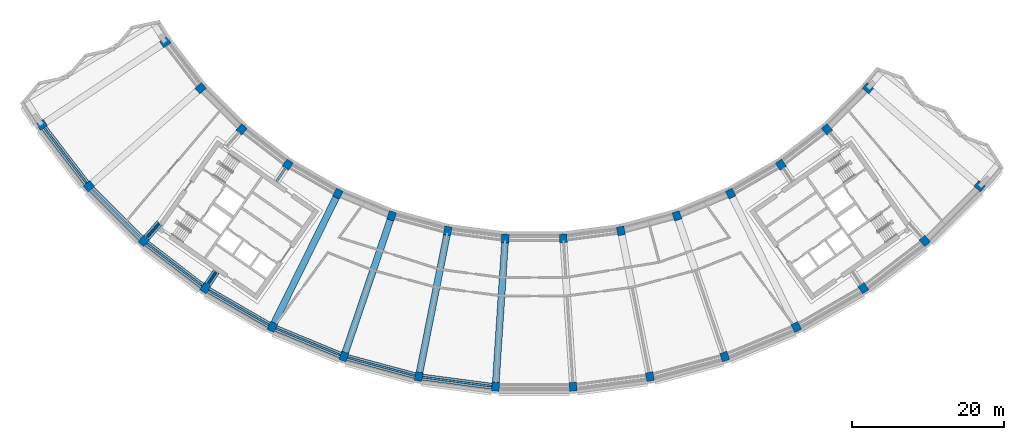
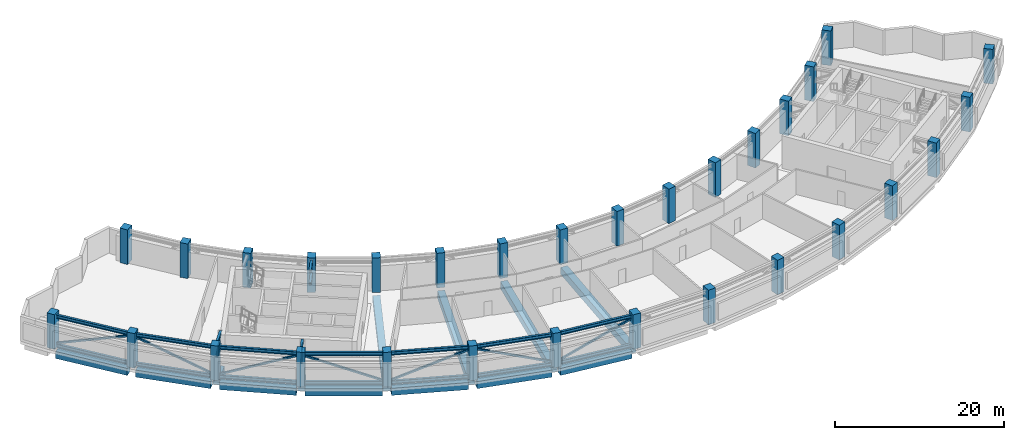
# One storey, part 1 of 24: 30 columns, 29 members, 13 beams.
"""IFC4 building model written with IfcOpenShell, lengths in metres."""

from ifc_helpers import new_model, si_unit, direction, frame, origin, origin_2d, place, context, subcontext, project, spatial, rectangle, hollow_rectangle, hollow_circle, i_section, extrude, material, material_profile, profile_set, type_object, element, save


model = new_model("IFC4")

# Units and contexts
model_context = context("Model", 3, precision=1e-05, world=origin(), true_north=direction((0.0, 1.0)))
body_context = subcontext(model_context, "Body", "Model", "MODEL_VIEW")
ifc_project = project(units=[si_unit("LENGTHUNIT", "METRE"), si_unit("AREAUNIT", "SQUARE_METRE"), si_unit("VOLUMEUNIT", "CUBIC_METRE"), si_unit("PLANEANGLEUNIT", "RADIAN"), si_unit("MASSUNIT", "GRAM", prefix="KILO")], contexts=[model_context])

# Site, building, storey
site_placement = place(None, origin())
site = spatial("IfcSite", under=ifc_project, at=site_placement, CompositionType="ELEMENT")
building_placement = place(site_placement, origin())
building = spatial("IfcBuilding", under=site, at=building_placement, Name="Qamariyya Broadcast Tower", CompositionType="ELEMENT")
storey_placement = place(building_placement, frame((0.0, 0.0, 253.10009765625)))
storey = spatial("IfcBuildingStorey", under=building, at=storey_placement, Name="L61", CompositionType="ELEMENT", Elevation=253.10009765625)

# Columns
ifc_material_1 = material(Name="Concrete C60/75", Category="concrete")
ifc_material_profile_1 = material_profile(ifc_material_1, rectangle(XDim=1.0, YDim=1.14990234375, at=origin_2d()))
ifc_profile_set_1 = profile_set([ifc_material_profile_1], Name="Concrete C60/75")
column_type = type_object("IfcColumnType", Name="RC column 1000 x 1150 C60/75", PredefinedType="COLUMN", material=ifc_profile_set_1)
for number, where, z_axis, x_axis, name in (
    (1, (-48.43310546875, -32.362060546875, 0.0), (0.0, 0.0, 1.0), (0.55557023302, -0.831469612303, 0.0), "Column C11 L61 B-R03"),
    (2, (-64.646728515625, -43.195556640625, 0.0), (0.0, 0.0, 1.0), (0.55557023302, -0.831469612303, 0.0), "Column C11 L61 C-R03"),
    (3, (-43.794677734375, -38.406982421875, 0.0), (0.0, 0.0, 1.0), (0.6593458151, -0.751839807479, 0.0), "Column C11 L61 B-R04"),
    (4, (-58.45556640625, -51.26416015625, 0.0), (0.0, 0.0, 1.0), (0.6593458151, -0.751839807479, 0.0), "Column C11 L61 C-R04"),
    (5, (-38.406982421875, -43.794677734375, 0.0), (0.0, 0.0, 1.0), (0.751839807479, -0.6593458151, 0.0), "Column C11 L61 B-R05"),
    (6, (-51.26416015625, -58.45556640625, 0.0), (0.0, 0.0, 1.0), (0.751839807479, -0.6593458151, 0.0), "Column C11 L61 C-R05"),
    (7, (-32.362060546875, -48.43310546875, 0.0), (0.0, 0.0, 1.0), (0.831469612303, -0.55557023302, 0.0), "Column C11 L61 B-R06"),
    (8, (-43.195556640625, -64.646728515625, 0.0), (0.0, 0.0, 1.0), (0.831469612303, -0.55557023302, 0.0), "Column C11 L61 C-R06"),
    (9, (-25.763427734375, -52.242919921875, 0.0), (0.0, 0.0, 1.0), (0.896872741533, -0.442288690219, 0.0), "Column C11 L61 B-R07"),
    (10, (-34.387939453125, -69.73193359375, 0.0), (0.0, 0.0, 1.0), (0.896872741533, -0.442288690219, 0.0), "Column C11 L61 C-R07"),
    (11, (-18.723876953125, -55.15869140625, 0.0), (0.0, 0.0, 1.0), (0.946930129495, -0.321439465303, 0.0), "Column C11 L61 B-R08"),
    (12, (-24.991943359375, -73.623779296875, 0.0), (0.0, 0.0, 1.0), (0.946930129495, -0.321439465303, 0.0), "Column C11 L61 C-R08"),
    (13, (-11.364013671875, -57.130859375, 0.0), (0.0, 0.0, 1.0), (0.980785280403, -0.195090322016, 0.0), "Column C11 L61 B-R09"),
    (14, (-15.168212890625, -76.256103515625, 0.0), (0.0, 0.0, 1.0), (0.980785280403, -0.195090322016, 0.0), "Column C11 L61 C-R09"),
    (15, (-3.809814453125, -58.125244140625, 0.0), (0.0, 0.0, 1.0), (0.997858923239, -0.06540312923, 0.0), "Column C11 L61 B-R10"),
    (16, (-5.085205078125, -77.58349609375, 0.0), (0.0, 0.0, 1.0), (0.997858923239, -0.06540312923, 0.0), "Column C11 L61 C-R10"),
    (17, (3.809814453125, -58.125244140625, 0.0), (0.0, 0.0, 1.0), (0.997858923239, 0.06540312923, 0.0), "Column C11 L61 B-R11"),
    (18, (5.085205078125, -77.58349609375, 0.0), (0.0, 0.0, 1.0), (0.997858923239, 0.06540312923, 0.0), "Column C11 L61 C-R11"),
    (19, (11.364013671875, -57.130859375, 0.0), (0.0, 0.0, 1.0), (0.980785280403, 0.195090322016, 0.0), "Column C11 L61 B-R12"),
    (20, (15.168212890625, -76.256103515625, 0.0), (0.0, 0.0, 1.0), (0.980785280403, 0.195090322016, 0.0), "Column C11 L61 C-R12"),
    (21, (18.723876953125, -55.15869140625, 0.0), (0.0, 0.0, 1.0), (0.946930129495, 0.321439465303, 0.0), "Column C11 L61 B-R13"),
    (22, (24.991943359375, -73.623779296875, 0.0), (0.0, 0.0, 1.0), (0.946930129495, 0.321439465303, 0.0), "Column C11 L61 C-R13"),
    (23, (25.763427734375, -52.242919921875, 0.0), (0.0, 0.0, 1.0), (0.896872741533, 0.442288690219, 0.0), "Column C11 L61 B-R14"),
    (24, (34.387939453125, -69.73193359375, 0.0), (0.0, 0.0, 1.0), (0.896872741533, 0.442288690219, 0.0), "Column C11 L61 C-R14"),
    (25, (32.362060546875, -48.43310546875, 0.0), (0.0, 0.0, 1.0), (0.831469612303, 0.55557023302, 0.0), "Column C11 L61 B-R15"),
    (26, (43.195556640625, -64.646728515625, 0.0), (0.0, 0.0, 1.0), (0.831469612303, 0.55557023302, 0.0), "Column C11 L61 C-R15"),
    (27, (38.406982421875, -43.794677734375, 0.0), (0.0, 0.0, 1.0), (0.751839807479, 0.6593458151, 0.0), "Column C11 L61 B-R16"),
    (28, (51.26416015625, -58.45556640625, 0.0), (0.0, 0.0, 1.0), (0.751839807479, 0.6593458151, 0.0), "Column C11 L61 C-R16"),
    (29, (43.794677734375, -38.406982421875, 0.0), (0.0, 0.0, 1.0), (0.6593458151, 0.751839807479, 0.0), "Column C11 L61 B-R17"),
    (30, (58.45556640625, -51.26416015625, 0.0), (0.0, 0.0, 1.0), (0.6593458151, 0.751839807479, 0.0), "Column C11 L61 C-R17"),
):
    element("IfcColumn", number, at=place(storey_placement, frame(where, z_axis=z_axis, x_axis=x_axis)), inside=storey, type_object=column_type, Name=name, PredefinedType="COLUMN", context=body_context, shape_type="SweptSolid", body=[
        extrude(rectangle(XDim=1.0, YDim=1.14990234375, at=origin_2d()), origin(), (0.0, 0.0, 1.0), 5.0),
    ])

# Members
ifc_material_2 = material(Name="Steel S355", Category="steel")
ifc_material_profile_2 = material_profile(ifc_material_2, i_section(OverallWidth=0.300048828125, OverallDepth=0.5, WebThickness=0.014404296875, FlangeThickness=0.028076171875, FilletRadius=0.027099609375, at=origin_2d()))
ifc_profile_set_2 = profile_set([ifc_material_profile_2], Name="Steel S355")
member_type_1 = type_object("IfcMemberType", Name="Belt truss bottom chord HEB 500", PredefinedType="CHORD", material=ifc_profile_set_2)
for number, where, z_axis, x_axis, name in (
    (31, (-64.341796875, -43.593017578125, 0.25), (0.608761882331, -0.793352992445, 0.0), (0.793352992445, 0.608761882331, 0.0), "Belt truss bottom chord T28 L61 C-R03"),
    (32, (-58.101318359375, -51.618408203125, 0.25), (0.707106781187, -0.707106781187, 0.0), (0.707106781187, 0.707106781187, 0.0), "Belt truss bottom chord T28 L61 C-R04"),
    (33, (-50.86669921875, -58.760498046875, 0.25), (0.793352992445, -0.608761882331, 0.0), (0.608761882331, 0.793352992445, 0.0), "Belt truss bottom chord T28 L61 C-R05"),
    (34, (-42.76171875, -64.897216796875, 0.25), (0.866032154434, -0.49998830735, 0.0), (0.49998830735, 0.866032154434, 0.0), "Belt truss bottom chord T28 L61 C-R06"),
    (35, (-33.925048828125, -69.923583984375, 0.25), (0.923876946533, -0.382689675409, 0.0), (0.382689675409, 0.923876946533, 0.0), "Belt truss bottom chord T28 L61 C-R07"),
):
    element("IfcMember", number, at=place(storey_placement, frame(where, z_axis=z_axis, x_axis=x_axis)), inside=storey, type_object=member_type_1, Name=name, PredefinedType="CHORD", context=body_context, shape_type="SweptSolid", body=[
        extrude(i_section(OverallWidth=0.300048828125, OverallDepth=0.5, WebThickness=0.014404296875, FlangeThickness=0.028076171875, FilletRadius=0.027099609375, at=origin_2d()), origin(), (0.0, 0.0, 1.0), 9.168212890625),
    ])
for number, where, z_axis, x_axis, name in (
    (36, (-24.5078125, -73.75341796875, 0.25), (0.965919522093, -0.258842571536, 0.0), (0.258842571536, 0.965919522093, 0.0), "Belt truss bottom chord T28 L61 C-R08"),
    (37, (-14.67138671875, -76.321533203125, 0.25), (0.991446770895, -0.130511687147, 0.0), (0.130511687147, 0.991446770895, 0.0), "Belt truss bottom chord T28 L61 C-R09"),
):
    element("IfcMember", number, at=place(storey_placement, frame(where, z_axis=z_axis, x_axis=x_axis)), inside=storey, type_object=member_type_1, Name=name, PredefinedType="CHORD", context=body_context, shape_type="SweptSolid", body=[
        extrude(i_section(OverallWidth=0.300048828125, OverallDepth=0.5, WebThickness=0.014404296875, FlangeThickness=0.028076171875, FilletRadius=0.027099609375, at=origin_2d()), origin(), (0.0, 0.0, 1.0), 9.16796875),
    ])
ifc_material_profile_3 = material_profile(ifc_material_2, hollow_rectangle(XDim=0.25, YDim=0.25, WallThickness=0.010009765625, InnerFilletRadius=0.010009765625, OuterFilletRadius=0.02001953125, at=origin_2d()))
ifc_profile_set_3 = profile_set([ifc_material_profile_3], Name="Steel S355")
member_type_2 = type_object("IfcMemberType", Name="Belt truss diagonal RHS 250x250x10", PredefinedType="BRACE", material=ifc_profile_set_3)
member_1_placement = place(storey_placement, frame((-64.3134765625, -43.630126953125, 0.61669921875), z_axis=(0.568686496297, -0.741117027103, 0.356849017187), x_axis=(0.793349514389, 0.608766414989, 0.0)))
element("IfcMember", 38, at=member_1_placement, inside=storey, type_object=member_type_2, Name="Belt truss diagonal T29 L61 C-R03", PredefinedType="BRACE", context=body_context, shape_type="SweptSolid", body=[
    extrude(hollow_rectangle(XDim=0.25, YDim=0.25, WallThickness=0.010009765625, InnerFilletRadius=0.010009765625, OuterFilletRadius=0.02001953125, at=origin_2d()), origin(), (0.0, 0.0, 1.0), 9.71435546875),
])
member_2_placement = place(storey_placement, frame((-58.068359375, -51.6513671875, 4.083251953125), z_axis=(0.660554461539, -0.660554461539, -0.356841150487), x_axis=(0.707106781187, 0.707106781187, 0.0)))
element("IfcMember", 39, at=member_2_placement, inside=storey, type_object=member_type_2, Name="Belt truss diagonal T29 L61 C-R04", PredefinedType="BRACE", context=body_context, shape_type="SweptSolid", body=[
    extrude(hollow_rectangle(XDim=0.25, YDim=0.25, WallThickness=0.010009765625, InnerFilletRadius=0.010009765625, OuterFilletRadius=0.02001953125, at=origin_2d()), origin(), (0.0, 0.0, 1.0), 9.714599609375),
])
for number, where, z_axis, x_axis, name in (
    (40, (-50.82958984375, -58.7890625, 0.61669921875), (0.741117027103, -0.568686496297, 0.356849017187), (0.608766414989, 0.793349514389, 0.0), "Belt truss diagonal T29 L61 C-R05"),
    (41, (-42.72119140625, -64.920654296875, 4.083251953125), (0.809005966648, -0.467082196028, -0.356852305698), (0.500001913541, 0.866024298998, 0.0), "Belt truss diagonal T29 L61 C-R06"),
    (42, (-33.8818359375, -69.94140625, 0.61669921875), (0.863049937059, -0.357499355134, 0.356845929248), (0.382694731444, 0.923874852199, 0.0), "Belt truss diagonal T29 L61 C-R07"),
    (43, (-24.462890625, -73.765625, 4.083251953125), (0.902334672659, -0.241768592663, -0.356847426947), (0.258807804761, 0.965928838059, 0.0), "Belt truss diagonal T29 L61 C-R08"),
    (44, (-14.625244140625, -76.32763671875, 0.61669921875), (0.926171242383, -0.12191622427, 0.356851879697), (0.130508795509, 0.991447151539, 0.0), "Belt truss diagonal T29 L61 C-R09"),
):
    element("IfcMember", number, at=place(storey_placement, frame(where, z_axis=z_axis, x_axis=x_axis)), inside=storey, type_object=member_type_2, Name=name, PredefinedType="BRACE", context=body_context, shape_type="SweptSolid", body=[
        extrude(hollow_rectangle(XDim=0.25, YDim=0.25, WallThickness=0.010009765625, InnerFilletRadius=0.010009765625, OuterFilletRadius=0.02001953125, at=origin_2d()), origin(), (0.0, 0.0, 1.0), 9.71435546875),
    ])
ifc_material_profile_4 = material_profile(ifc_material_2, i_section(OverallWidth=0.300048828125, OverallDepth=0.5, WebThickness=0.014404296875, FlangeThickness=0.028076171875, FilletRadius=0.027099609375, at=origin_2d()))
ifc_profile_set_4 = profile_set([ifc_material_profile_4], Name="Steel S355")
member_type_3 = type_object("IfcMemberType", Name="Belt truss top chord HEB 500", PredefinedType="CHORD", material=ifc_profile_set_4)
for number, where, z_axis, x_axis, name in (
    (45, (-64.341796875, -43.593017578125, 4.449951171875), (0.608761882331, -0.793352992445, 0.0), (0.793352992445, 0.608761882331, 0.0), "Belt truss top chord T27 L61 C-R03"),
    (46, (-58.101318359375, -51.618408203125, 4.449951171875), (0.707106781187, -0.707106781187, 0.0), (0.707106781187, 0.707106781187, 0.0), "Belt truss top chord T27 L61 C-R04"),
    (47, (-50.86669921875, -58.760498046875, 4.449951171875), (0.793352992445, -0.608761882331, 0.0), (0.608761882331, 0.793352992445, 0.0), "Belt truss top chord T27 L61 C-R05"),
    (48, (-42.76171875, -64.897216796875, 4.449951171875), (0.866032154434, -0.49998830735, 0.0), (0.49998830735, 0.866032154434, 0.0), "Belt truss top chord T27 L61 C-R06"),
    (49, (-33.925048828125, -69.923583984375, 4.449951171875), (0.923876946533, -0.382689675409, 0.0), (0.382689675409, 0.923876946533, 0.0), "Belt truss top chord T27 L61 C-R07"),
):
    element("IfcMember", number, at=place(storey_placement, frame(where, z_axis=z_axis, x_axis=x_axis)), inside=storey, type_object=member_type_3, Name=name, PredefinedType="CHORD", context=body_context, shape_type="SweptSolid", body=[
        extrude(i_section(OverallWidth=0.300048828125, OverallDepth=0.5, WebThickness=0.014404296875, FlangeThickness=0.028076171875, FilletRadius=0.027099609375, at=origin_2d()), origin(), (0.0, 0.0, 1.0), 9.168212890625),
    ])
for number, where, z_axis, x_axis, name in (
    (50, (-24.5078125, -73.75341796875, 4.449951171875), (0.965919522093, -0.258842571536, 0.0), (0.258842571536, 0.965919522093, 0.0), "Belt truss top chord T27 L61 C-R08"),
    (51, (-14.67138671875, -76.321533203125, 4.449951171875), (0.991446770895, -0.130511687147, 0.0), (0.130511687147, 0.991446770895, 0.0), "Belt truss top chord T27 L61 C-R09"),
):
    element("IfcMember", number, at=place(storey_placement, frame(where, z_axis=z_axis, x_axis=x_axis)), inside=storey, type_object=member_type_3, Name=name, PredefinedType="CHORD", context=body_context, shape_type="SweptSolid", body=[
        extrude(i_section(OverallWidth=0.300048828125, OverallDepth=0.5, WebThickness=0.014404296875, FlangeThickness=0.028076171875, FilletRadius=0.027099609375, at=origin_2d()), origin(), (0.0, 0.0, 1.0), 9.16796875),
    ])
ifc_material_profile_5 = material_profile(ifc_material_2, i_section(OverallWidth=0.300048828125, OverallDepth=0.389892578125, WebThickness=0.010986328125, FlangeThickness=0.01904296875, FilletRadius=0.027099609375, at=origin_2d()))
ifc_profile_set_5 = profile_set([ifc_material_profile_5], Name="Steel S355")
member_type_4 = type_object("IfcMemberType", Name="Outrigger truss bottom chord HEA 400", PredefinedType="CHORD", material=ifc_profile_set_5)
member_3_placement = place(storey_placement, frame((-49.22412109375, -56.12939453125, 2.69482421875), z_axis=(-0.65933417083, -0.75185001907, 0.0), x_axis=(0.75185001907, -0.65933417083, 0.0)))
element("IfcMember", 52, at=member_3_placement, inside=storey, type_object=member_type_4, Name="Outrigger truss bottom chord T25 L61 R05", PredefinedType="CHORD", context=body_context, shape_type="SweptSolid", body=[
    extrude(i_section(OverallWidth=0.300048828125, OverallDepth=0.389892578125, WebThickness=0.010986328125, FlangeThickness=0.01904296875, FilletRadius=0.027099609375, at=origin_2d()), origin(), (0.0, 0.0, 1.0), 2.4990234375),
])
member_4_placement = place(storey_placement, frame((-32.692626953125, -48.927734375, 2.69482421875), z_axis=(-0.555562587302, -0.831474720957, 0.0), x_axis=(0.831474720957, -0.555562587302, 0.0)))
element("IfcMember", 53, at=member_4_placement, inside=storey, type_object=member_type_4, Name="Outrigger truss bottom chord T25 L61 R06", PredefinedType="CHORD", context=body_context, shape_type="SweptSolid", body=[
    extrude(i_section(OverallWidth=0.300048828125, OverallDepth=0.389892578125, WebThickness=0.010986328125, FlangeThickness=0.01904296875, FilletRadius=0.027099609375, at=origin_2d()), origin(), (0.0, 0.0, 1.0), 2.0244140625),
])
member_5_placement = place(storey_placement, frame((-41.75830078125, -62.49560546875, 2.69482421875), z_axis=(-0.555520070423, -0.83150312769, 0.0), x_axis=(0.83150312769, -0.555520070423, 0.0)))
element("IfcMember", 54, at=member_5_placement, inside=storey, type_object=member_type_4, Name="Outrigger truss bottom chord T25 L61 R06", PredefinedType="CHORD", context=body_context, shape_type="SweptSolid", body=[
    extrude(i_section(OverallWidth=0.300048828125, OverallDepth=0.389892578125, WebThickness=0.010986328125, FlangeThickness=0.01904296875, FilletRadius=0.027099609375, at=origin_2d()), origin(), (0.0, 0.0, 1.0), 1.9921875),
])
ifc_material_profile_6 = material_profile(ifc_material_2, hollow_circle(Radius=0.109619140625, WallThickness=0.010009765625, at=origin_2d()))
ifc_profile_set_6 = profile_set([ifc_material_profile_6], Name="Steel S355")
member_type_5 = type_object("IfcMemberType", Name="Outrigger truss diagonal CHS 219.1x10", PredefinedType="BRACE", material=ifc_profile_set_6)
member_6_placement = place(storey_placement, frame((-49.25830078125, -56.168212890625, 4.21240234375), z_axis=(-0.587028478124, -0.669424808026, -0.455266946166), x_axis=(0.751862813991, -0.659319580278, 0.0)))
element("IfcMember", 55, at=member_6_placement, inside=storey, type_object=member_type_5, Name="Outrigger truss diagonal T30 L61 R05", PredefinedType="BRACE", context=body_context, shape_type="SweptSolid", body=[
    extrude(hollow_circle(Radius=0.109619140625, WallThickness=0.010009765625, at=origin_2d()), origin(), (0.0, 0.0, 1.0), 2.6904296875),
])
member_7_placement = place(storey_placement, frame((-41.79296875, -62.547607421875, 4.218505859375), z_axis=(-0.463120348353, -0.693100093004, -0.552387367722), x_axis=(0.831466468953, -0.555574937346, 0.0)))
element("IfcMember", 56, at=member_7_placement, inside=storey, type_object=member_type_5, Name="Outrigger truss diagonal T30 L61 R06", PredefinedType="BRACE", context=body_context, shape_type="SweptSolid", body=[
    extrude(hollow_circle(Radius=0.109619140625, WallThickness=0.010009765625, at=origin_2d()), origin(), (0.0, 0.0, 1.0), 2.239990234375),
])
ifc_material_profile_7 = material_profile(ifc_material_2, i_section(OverallWidth=0.300048828125, OverallDepth=0.389892578125, WebThickness=0.010986328125, FlangeThickness=0.01904296875, FilletRadius=0.027099609375, at=origin_2d()))
ifc_profile_set_7 = profile_set([ifc_material_profile_7], Name="Steel S355")
member_type_6 = type_object("IfcMemberType", Name="Outrigger truss top chord HEA 400", PredefinedType="CHORD", material=ifc_profile_set_7)
member_8_placement = place(storey_placement, frame((-49.22412109375, -56.12939453125, 4.5048828125), z_axis=(-0.65933417083, -0.75185001907, 0.0), x_axis=(0.75185001907, -0.65933417083, 0.0)))
element("IfcMember", 57, at=member_8_placement, inside=storey, type_object=member_type_6, Name="Outrigger truss top chord T24 L61 R05", PredefinedType="CHORD", context=body_context, shape_type="SweptSolid", body=[
    extrude(i_section(OverallWidth=0.300048828125, OverallDepth=0.389892578125, WebThickness=0.010986328125, FlangeThickness=0.01904296875, FilletRadius=0.027099609375, at=origin_2d()), origin(), (0.0, 0.0, 1.0), 2.4990234375),
])
member_9_placement = place(storey_placement, frame((-32.692626953125, -48.927734375, 4.5048828125), z_axis=(-0.555562587302, -0.831474720957, 0.0), x_axis=(0.831474720957, -0.555562587302, 0.0)))
element("IfcMember", 58, at=member_9_placement, inside=storey, type_object=member_type_6, Name="Outrigger truss top chord T24 L61 R06", PredefinedType="CHORD", context=body_context, shape_type="SweptSolid", body=[
    extrude(i_section(OverallWidth=0.300048828125, OverallDepth=0.389892578125, WebThickness=0.010986328125, FlangeThickness=0.01904296875, FilletRadius=0.027099609375, at=origin_2d()), origin(), (0.0, 0.0, 1.0), 2.0244140625),
])
member_10_placement = place(storey_placement, frame((-41.75830078125, -62.49560546875, 4.5048828125), z_axis=(-0.555520070423, -0.83150312769, 0.0), x_axis=(0.83150312769, -0.555520070423, 0.0)))
element("IfcMember", 59, at=member_10_placement, inside=storey, type_object=member_type_6, Name="Outrigger truss top chord T24 L61 R06", PredefinedType="CHORD", context=body_context, shape_type="SweptSolid", body=[
    extrude(i_section(OverallWidth=0.300048828125, OverallDepth=0.389892578125, WebThickness=0.010986328125, FlangeThickness=0.01904296875, FilletRadius=0.027099609375, at=origin_2d()), origin(), (0.0, 0.0, 1.0), 1.9921875),
])

# Beams
ifc_material_3 = material(Name="Concrete C40/50", Category="concrete")
ifc_material_profile_8 = material_profile(ifc_material_3, rectangle(XDim=0.800048828125, YDim=1.0, at=origin_2d()))
ifc_profile_set_8 = profile_set([ifc_material_profile_8], Name="Concrete C40/50")
beam_type_1 = type_object("IfcBeamType", Name="RC edge beam 800 x 1000 C40/50", PredefinedType="SPANDREL", material=ifc_profile_set_8)
for number, where, z_axis, x_axis, name in (
    (60, (-64.341796875, -43.593017578125, -0.900146484375), (0.608761882331, -0.793352992445, 0.0), (0.793352992445, 0.608761882331, 0.0), "Edge beam B24 L61 C R03-R04"),
    (61, (-58.101318359375, -51.618408203125, -0.900146484375), (0.707106781187, -0.707106781187, 0.0), (0.707106781187, 0.707106781187, 0.0), "Edge beam B24 L61 C R04-R05"),
    (62, (-50.86669921875, -58.760498046875, -0.900146484375), (0.793352992445, -0.608761882331, 0.0), (0.608761882331, 0.793352992445, 0.0), "Edge beam B24 L61 C R05-R06"),
    (63, (-42.76171875, -64.897216796875, -0.900146484375), (0.866032154434, -0.49998830735, 0.0), (0.49998830735, 0.866032154434, 0.0), "Edge beam B24 L61 C R06-R07"),
    (64, (-33.925048828125, -69.923583984375, -0.900146484375), (0.923876946533, -0.382689675409, 0.0), (0.382689675409, 0.923876946533, 0.0), "Edge beam B24 L61 C R07-R08"),
):
    element("IfcBeam", number, at=place(storey_placement, frame(where, z_axis=z_axis, x_axis=x_axis)), inside=storey, type_object=beam_type_1, Name=name, PredefinedType="SPANDREL", context=body_context, shape_type="SweptSolid", body=[
        extrude(rectangle(XDim=0.800048828125, YDim=1.0, at=origin_2d()), origin(), (0.0, 0.0, 1.0), 9.168212890625),
    ])
for number, where, z_axis, x_axis, name in (
    (65, (-24.5078125, -73.75341796875, -0.900146484375), (0.965919522093, -0.258842571536, 0.0), (0.258842571536, 0.965919522093, 0.0), "Edge beam B24 L61 C R08-R09"),
    (66, (-14.67138671875, -76.321533203125, -0.900146484375), (0.991446770895, -0.130511687147, 0.0), (0.130511687147, 0.991446770895, 0.0), "Edge beam B24 L61 C R09-R10"),
):
    element("IfcBeam", number, at=place(storey_placement, frame(where, z_axis=z_axis, x_axis=x_axis)), inside=storey, type_object=beam_type_1, Name=name, PredefinedType="SPANDREL", context=body_context, shape_type="SweptSolid", body=[
        extrude(rectangle(XDim=0.800048828125, YDim=1.0, at=origin_2d()), origin(), (0.0, 0.0, 1.0), 9.16796875),
    ])
ifc_material_profile_9 = material_profile(ifc_material_3, rectangle(XDim=0.89990234375, YDim=1.0, at=origin_2d()))
ifc_profile_set_9 = profile_set([ifc_material_profile_9], Name="Concrete C40/50")
beam_type_2 = type_object("IfcBeamType", Name="RC radial beam 900 x 1000 C40/50", PredefinedType="BEAM", material=ifc_profile_set_9)
beam_1_placement = place(storey_placement, frame((-49.1943359375, -56.095458984375, -0.900146484375), z_axis=(-0.65936701245, -0.751821217373, 0.0), x_axis=(0.751821217373, -0.65936701245, 0.0)))
element("IfcBeam", 67, at=beam_1_placement, inside=storey, type_object=beam_type_2, Name="Radial beam B23 L61 R05 B-C", PredefinedType="BEAM", context=body_context, shape_type="SweptSolid", body=[
    extrude(rectangle(XDim=0.89990234375, YDim=1.0, at=origin_2d()), origin(), (0.0, 0.0, 1.0), 2.56396484375),
])
beam_2_placement = place(storey_placement, frame((-41.733154296875, -62.458251953125, -0.900146484375), z_axis=(-0.555630982199, -0.831429017788, 0.0), x_axis=(0.831429017788, -0.555630982199, 0.0)))
element("IfcBeam", 68, at=beam_2_placement, inside=storey, type_object=beam_type_2, Name="Radial beam B23 L61 R06 B-C", PredefinedType="BEAM", context=body_context, shape_type="SweptSolid", body=[
    extrude(rectangle(XDim=0.89990234375, YDim=1.0, at=origin_2d()), origin(), (0.0, 0.0, 1.0), 2.05712890625),
])
beam_3_placement = place(storey_placement, frame((-26.017578125, -52.758544921875, -0.900146484375), z_axis=(-0.442289405452, -0.896872388819, 0.0), x_axis=(0.896872388819, -0.442289405452, 0.0)))
element("IfcBeam", 69, at=beam_3_placement, inside=storey, type_object=beam_type_2, Name="Radial beam B23 L61 R07 B-C", PredefinedType="BEAM", context=body_context, shape_type="SweptSolid", body=[
    extrude(rectangle(XDim=0.89990234375, YDim=1.0, at=origin_2d()), origin(), (0.0, 0.0, 1.0), 18.349853515625),
])
for number, where, z_axis, x_axis, name in (
    (70, (-18.90869140625, -55.703125, -0.900146484375), (-0.321439728167, -0.946930040265, 0.0), (0.946930040265, -0.321439728167, 0.0), "Radial beam B23 L61 R08 B-C"),
    (71, (-11.47607421875, -57.694580078125, -0.900146484375), (-0.195097720648, -0.980783808695, 0.0), (0.980783808695, -0.195097720648, 0.0), "Radial beam B23 L61 R09 B-C"),
    (72, (-3.847412109375, -58.698974609375, -0.900146484375), (-0.065405444204, -0.997858771505, 0.0), (0.997858771505, -0.065405444204, 0.0), "Radial beam B23 L61 R10 B-C"),
):
    element("IfcBeam", number, at=place(storey_placement, frame(where, z_axis=z_axis, x_axis=x_axis)), inside=storey, type_object=beam_type_2, Name=name, PredefinedType="BEAM", context=body_context, shape_type="SweptSolid", body=[
        extrude(rectangle(XDim=0.89990234375, YDim=1.0, at=origin_2d()), origin(), (0.0, 0.0, 1.0), 18.35009765625),
    ])

save(model, "model.ifc")
